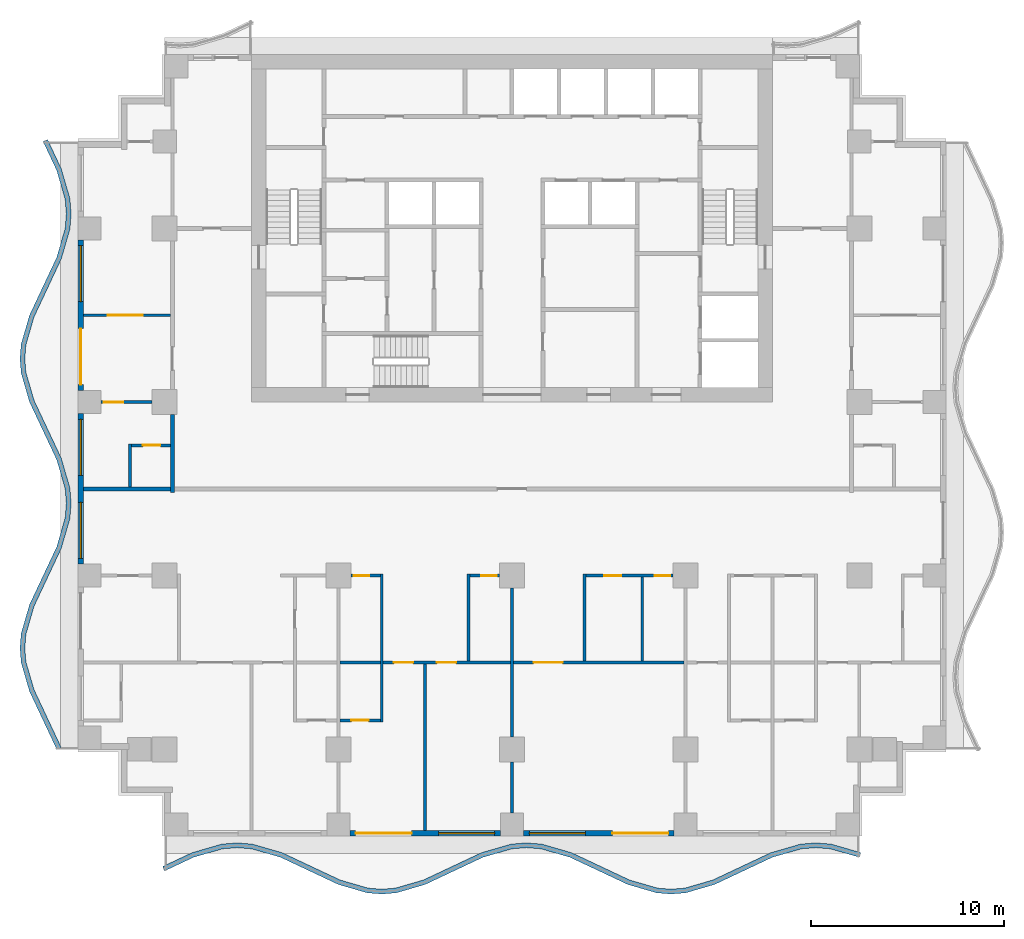
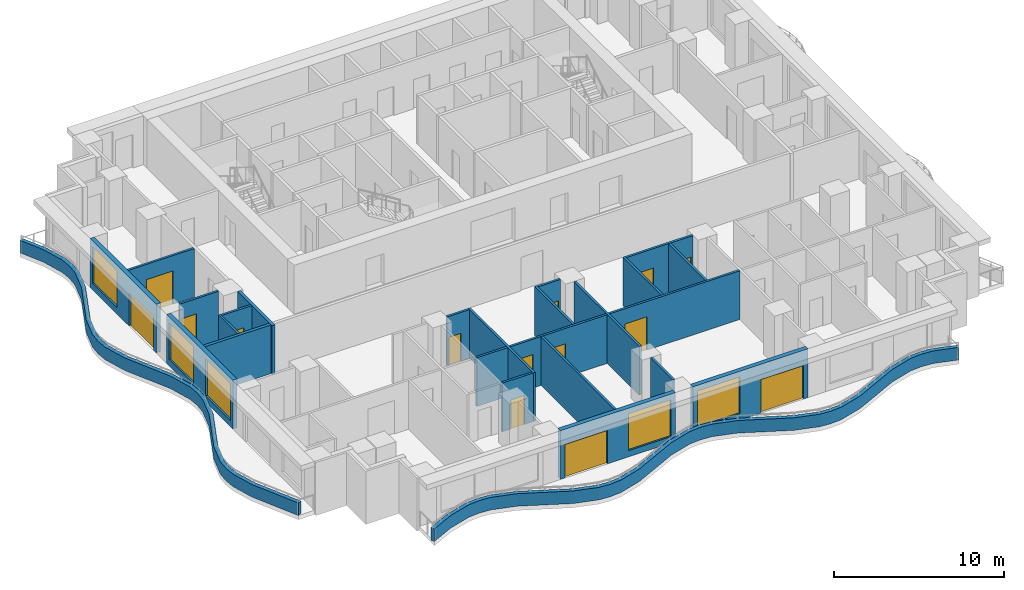
# One storey, part 2 of 10: 26 walls, 14 doors, 5 windows, 19 openings.
"""IFC4 building model written with IfcOpenShell, lengths in metres."""

import ifcopenshell
import ifcopenshell.guid

model = None  # the IFC model being written
_history = None  # IfcOwnerHistory: only IFC2X3 demands one
_inside = {}  # id of a spatial element -> (the spatial element, [elements in it])
_under = {}  # id of a project, library or spatial element -> (it, [spatial elements below it])
_declared = {}  # id of a project -> (the project, [libraries it declares])
_typed = {}  # id of a type object -> (the type object, [elements of that type])
_made_of = {}  # id of a material, layer set ... -> (it, [elements and type objects made of it])


def new_model(schema):
    """Start an empty IFC model of exactly this schema.

    Asked for "IFC4X3", IfcOpenShell would pick the latest addendum, in which some entities
    have other attributes; the version numbers below select the first issue.
    IFC2X3 requires an IfcOwnerHistory on every rooted entity: one is made here for all.
    """
    global model, _history
    if schema == "IFC4X3":
        model = ifcopenshell.file(schema_version=(4, 3, 0, 0))
    else:
        model = ifcopenshell.file(schema=schema)
    _inside.clear()
    _under.clear()
    _declared.clear()
    _typed.clear()
    _made_of.clear()
    _history = None
    if model.schema == "IFC2X3":
        org = make("IfcOrganization", Name="unknown")
        user = make(
            "IfcPersonAndOrganization",
            ThePerson=make("IfcPerson", FamilyName="unknown"),
            TheOrganization=org,
        )
        app = make(
            "IfcApplication",
            ApplicationDeveloper=org,
            Version="unknown",
            ApplicationFullName="unknown",
            ApplicationIdentifier="unknown",
        )
        _history = make(
            "IfcOwnerHistory",
            OwningUser=user,
            OwningApplication=app,
            ChangeAction="ADDED",
            CreationDate=0,
        )
    return model


def make(cls, **values):
    """One entity of the class cls with the attributes given. An attribute that is None is left unset."""
    return model.create_entity(
        cls, **{name: value for name, value in values.items() if value is not None}
    )


def rooted(cls, **values):
    """An entity with a GlobalId (a new one), such as an element, a storey or a relation."""
    return make(cls, GlobalId=ifcopenshell.guid.new(), OwnerHistory=_history, **values)


def si_unit(unit_type, name, prefix=None):
    """IfcSIUnit, for example si_unit("LENGTHUNIT", "METRE", prefix="MILLI")."""
    return make("IfcSIUnit", UnitType=unit_type, Prefix=prefix, Name=name)


def assignment(units):
    """IfcUnitAssignment: the units of a project."""
    return None if units is None else make("IfcUnitAssignment", Units=units)


def point(xyz):
    """IfcCartesianPoint."""
    return None if xyz is None else make("IfcCartesianPoint", Coordinates=xyz)


def direction(xyz):
    """IfcDirection."""
    return None if xyz is None else make("IfcDirection", DirectionRatios=xyz)


def frame(location, z_axis=None, x_axis=None):
    """IfcAxis2Placement3D, a coordinate frame: its origin and axes. An axis left out is left unset."""
    return make(
        "IfcAxis2Placement3D",
        Location=point(location),
        Axis=direction(z_axis),
        RefDirection=direction(x_axis),
    )


def frame_2d(location, x_axis=None):
    """IfcAxis2Placement2D, a coordinate frame in the plane: its origin and x axis."""
    return make(
        "IfcAxis2Placement2D", Location=point(location), RefDirection=direction(x_axis)
    )


def origin():
    """The frame at (0, 0, 0) with its axes left unset."""
    return frame((0.0, 0.0, 0.0))


def place(relative_to, where):
    """IfcLocalPlacement: puts the frame where relative to a parent placement (None: the world)."""
    return make(
        "IfcLocalPlacement", PlacementRelTo=relative_to, RelativePlacement=where
    )


def context(
    kind, dimensions, precision=None, world=None, true_north=None, identifier=None
):
    """IfcGeometricRepresentationContext, for example the 3D "Model" context."""
    return make(
        "IfcGeometricRepresentationContext",
        ContextIdentifier=identifier,
        ContextType=kind,
        CoordinateSpaceDimension=dimensions,
        Precision=precision,
        WorldCoordinateSystem=world,
        TrueNorth=true_north,
    )


def subcontext(parent, identifier, kind, view, scale=None):
    """IfcGeometricRepresentationSubContext, for example "Body" below "Model"."""
    return make(
        "IfcGeometricRepresentationSubContext",
        ContextIdentifier=identifier,
        ContextType=kind,
        ParentContext=parent,
        TargetScale=scale,
        TargetView=view,
    )


def project(units=None, contexts=None):
    """IfcProject with its units and contexts."""
    return rooted(
        "IfcProject",
        Name="project",
        RepresentationContexts=contexts,
        UnitsInContext=assignment(units),
    )


def spatial(cls, under=None, at=None, **own):
    """A site, building, storey or space (cls), placed at a placement, below another one or the project."""
    s = rooted(cls, ObjectPlacement=at, **own)
    if under is not None:
        _under.setdefault(under.id(), (under, []))[1].append(s)
    return s


def polyline(points):
    """IfcPolyline through the points."""
    return make("IfcPolyline", Points=[point(p) for p in points])


def profile(cls, at=None, kind="AREA", **sizes):
    """A parametric profile (cls). Its sizes go by their IFC names, for example OverallWidth=200.0."""
    return make(cls, ProfileType=kind, Position=at, **sizes)


def rectangle(**sizes):
    """IfcRectangleProfileDef."""
    return profile("IfcRectangleProfileDef", **sizes)


def outline(outer, holes=None, kind="AREA"):
    """IfcArbitraryClosedProfileDef: a profile drawn as a closed curve; with holes, ...WithVoids."""
    if holes is None:
        return make("IfcArbitraryClosedProfileDef", ProfileType=kind, OuterCurve=outer)
    return make(
        "IfcArbitraryProfileDefWithVoids",
        ProfileType=kind,
        OuterCurve=outer,
        InnerCurves=holes,
    )


def extrude(swept, where, along, depth):
    """IfcExtrudedAreaSolid: the profile swept, set in the frame where, extruded along a direction by depth."""
    return make(
        "IfcExtrudedAreaSolid",
        SweptArea=swept,
        Position=where,
        ExtrudedDirection=direction(along),
        Depth=depth,
    )


def shape(context_of_items, identifier, shape_type, items):
    """IfcShapeRepresentation: the items that make up one representation, for example the "Body"."""
    return make(
        "IfcShapeRepresentation",
        ContextOfItems=context_of_items,
        RepresentationIdentifier=identifier,
        RepresentationType=shape_type,
        Items=items,
    )


def material(Name=None, Category=None):
    """IfcMaterial."""
    return make("IfcMaterial", Name=Name, Category=Category)


def layer(
    of_material, thickness, ventilated=None, Name=None, Category=None, Priority=None
):
    """IfcMaterialLayer: one layer of a wall or slab, of a material (None: an air gap)."""
    return make(
        "IfcMaterialLayer",
        Material=of_material,
        LayerThickness=thickness,
        IsVentilated=ventilated,
        Name=Name,
        Category=Category,
        Priority=Priority,
    )


def layer_set(layers, Name=None):
    """IfcMaterialLayerSet."""
    return make("IfcMaterialLayerSet", MaterialLayers=layers, LayerSetName=Name)


def made_of(thing, what):
    """Note that an element or type object is made of a material, layer set ...; save() writes the relation."""
    if what is not None:
        _made_of.setdefault(what.id(), (what, []))[1].append(thing)
    return thing


def type_object(cls, material=None, **own):
    """A type object (cls), such as IfcWallType, which elements share."""
    return made_of(rooted(cls, **own), material)


def element(
    cls,
    number,
    at=None,
    inside=None,
    cuts=None,
    type_object=None,
    material=None,
    context=None,
    identifier="Body",
    shape_type=None,
    held_by="IfcProductDefinitionShape",
    body=None,
    shapes=None,
    **own,
):
    """One element of the class cls, such as IfcWall. Its Tag is "e" and its number.

    at: its placement. inside: the storey or other place that contains it. cuts: it is an
    opening in that element (IfcRelVoidsElement). A single representation is given by context,
    identifier, shape_type and body (its items); several are given by shapes. held_by: the class
    of the entity that holds the representations. save() writes the other relations.
    """
    e = rooted(cls, Tag="e%d" % number, ObjectPlacement=at, **own)
    if body is not None:
        shapes = [shape(context, identifier, shape_type, body)]
    if shapes is not None:
        e.Representation = make(held_by, Representations=shapes)
    if inside is not None:
        _inside.setdefault(inside.id(), (inside, []))[1].append(e)
    if cuts is not None:
        rooted(
            "IfcRelVoidsElement", RelatingBuildingElement=cuts, RelatedOpeningElement=e
        )
    if type_object is not None:
        _typed.setdefault(type_object.id(), (type_object, []))[1].append(e)
    return made_of(e, material)


def fill(opening, filler):
    """IfcRelFillsElement: the door or window that sits in an opening."""
    return rooted(
        "IfcRelFillsElement",
        RelatingOpeningElement=opening,
        RelatedBuildingElement=filler,
    )


def aggregate(whole, parts):
    """IfcRelAggregates: a whole, such as a stair, and the parts it consists of."""
    return rooted("IfcRelAggregates", RelatingObject=whole, RelatedObjects=parts)


def save(model, path):
    """Write the relations noted so far, then the file.

    IfcRelAggregates (storeys below a building ...), IfcRelContainedInSpatialStructure (elements
    in a storey), IfcRelDefinesByType, IfcRelAssociatesMaterial and IfcRelDeclares: one each for
    every whole, place, type object, material and project.
    """
    for whole, parts in _under.values():
        aggregate(whole, parts)
    for where, things in _inside.values():
        rooted(
            "IfcRelContainedInSpatialStructure",
            RelatedElements=things,
            RelatingStructure=where,
        )
    for kind, things in _typed.values():
        rooted("IfcRelDefinesByType", RelatedObjects=things, RelatingType=kind)
    for what, things in _made_of.values():
        rooted("IfcRelAssociatesMaterial", RelatedObjects=things, RelatingMaterial=what)
    for by, libraries in _declared.values():
        rooted("IfcRelDeclares", RelatingContext=by, RelatedDefinitions=libraries)
    model.write(path)


model = new_model("IFC4")

# Units and contexts
model_context = context("Model", 3, precision=1e-05, world=origin(), true_north=direction((0.0, 1.0)))
body_context = subcontext(model_context, "Body", "Model", "MODEL_VIEW")
ifc_project = project(units=[si_unit("LENGTHUNIT", "METRE"), si_unit("AREAUNIT", "SQUARE_METRE"), si_unit("VOLUMEUNIT", "CUBIC_METRE"), si_unit("PLANEANGLEUNIT", "RADIAN"), si_unit("MASSUNIT", "GRAM", prefix="KILO")], contexts=[model_context])

# Site, building, storey
site_placement = place(None, origin())
site = spatial("IfcSite", under=ifc_project, at=site_placement, CompositionType="ELEMENT")
building_placement = place(site_placement, origin())
building = spatial("IfcBuilding", under=site, at=building_placement, Name="Orbiselva Terraces", CompositionType="ELEMENT")
storey_placement = place(building_placement, frame((0.0, 0.0, 128.8)))
storey = spatial("IfcBuildingStorey", under=building, at=storey_placement, Name="L32", CompositionType="ELEMENT", Elevation=128.8)

# Walls
ifc_material_1 = material(Name="Concrete C40/50", Category="concrete")
ifc_layer_1 = layer(ifc_material_1, 0.25)
ifc_layer_set_1 = layer_set([ifc_layer_1], Name="Concrete C40/50")
wall_type_1 = type_object("IfcWallType", Name="ENV-PLANTER-250x900", PredefinedType="USERDEFINED", material=ifc_layer_set_1)
wall_1_placement = place(storey_placement, origin())
element("IfcWall", 1, at=wall_1_placement, inside=storey, type_object=wall_type_1, Name="Balcony planter L32 S", ObjectType="PLANTER", PredefinedType="USERDEFINED", context=body_context, shape_type="SweptSolid", body=[
    extrude(outline(polyline([(-18.0, -19.8), (-16.5, -19.094658), (-15.0, -18.658732), (-14.25, -18.6), (-13.5, -18.658732), (-12.0, -19.094658), (-10.5, -19.8), (-9.0, -20.505342), (-7.5, -20.941268), (-6.75, -21.0), (-6.0, -20.941268), (-4.5, -20.505342), (-3.0, -19.8), (-1.5, -19.094658), (0.0, -18.658732), (0.75, -18.6), (1.5, -18.658732), (3.0, -19.094658), (4.5, -19.8), (6.0, -20.505342), (7.5, -20.941268), (8.25, -21.0), (9.0, -20.941268), (10.5, -20.505342), (12.0, -19.8), (13.5, -19.094658), (15.0, -18.658732), (15.75, -18.6), (16.5, -18.658732), (18.0, -19.094658), (18.069768, -18.85459), (16.545114, -18.411499), (15.75, -18.349235), (14.954886, -18.411499), (13.411382, -18.860069), (11.893617, -19.573764), (10.411382, -20.270753), (8.954886, -20.694035), (8.25, -20.749235), (7.545114, -20.694035), (6.088618, -20.270753), (4.606383, -19.573764), (3.088618, -18.860069), (1.545114, -18.411499), (0.75, -18.349235), (-0.045114, -18.411499), (-1.588618, -18.860069), (-3.106383, -19.573764), (-4.588618, -20.270753), (-6.045114, -20.694035), (-6.75, -20.749235), (-7.454886, -20.694035), (-8.911382, -20.270753), (-10.393617, -19.573764), (-11.911382, -18.860069), (-13.454886, -18.411499), (-14.25, -18.349235), (-15.045114, -18.411499), (-16.588618, -18.860069), (-18.106383, -19.573764), (-18.0, -19.8)])), origin(), (0.0, 0.0, 1.0), 0.9),
])
wall_2_placement = place(storey_placement, origin())
element("IfcWall", 2, at=wall_2_placement, inside=storey, type_object=wall_type_1, Name="Balcony planter L32 W", ObjectType="PLANTER", PredefinedType="USERDEFINED", context=body_context, shape_type="SweptSolid", body=[
    extrude(outline(polyline([(-24.3, 18.0), (-23.594658, 16.5), (-23.158732, 15.0), (-23.1, 14.25), (-23.158732, 13.5), (-23.594658, 12.0), (-24.3, 10.5), (-25.005342, 9.0), (-25.441268, 7.5), (-25.5, 6.75), (-25.441268, 6.0), (-25.005342, 4.5), (-24.3, 3.0), (-23.594658, 1.5), (-23.158732, 0.0), (-23.1, -0.75), (-23.158732, -1.5), (-23.594658, -3.0), (-24.3, -4.5), (-25.005342, -6.0), (-25.441268, -7.5), (-25.5, -8.25), (-25.441268, -9.0), (-25.005342, -10.5), (-24.3, -12.0), (-23.594658, -13.5), (-23.368422, -13.393617), (-24.073764, -11.893617), (-24.770753, -10.411382), (-25.194035, -8.954886), (-25.249235, -8.25), (-25.194035, -7.545114), (-24.770753, -6.088618), (-24.073764, -4.606383), (-23.360069, -3.088618), (-22.911499, -1.545114), (-22.849235, -0.75), (-22.911499, 0.045114), (-23.360069, 1.588618), (-24.073764, 3.106383), (-24.770753, 4.588618), (-25.194035, 6.045114), (-25.249235, 6.75), (-25.194035, 7.454886), (-24.770753, 8.911382), (-24.073764, 10.393617), (-23.360069, 11.911382), (-22.911499, 13.454886), (-22.849235, 14.25), (-22.911499, 15.045114), (-23.360069, 16.588618), (-24.073764, 18.106383), (-24.3, 18.0)])), origin(), (0.0, 0.0, 1.0), 0.9),
])

# Wall, openings, door, window
ifc_material_2 = material(Name="Terracotta cladding on masonry backing", Category="masonry")
ifc_layer_2 = layer(ifc_material_2, 0.3)
ifc_layer_set_2 = layer_set([ifc_layer_2], Name="Terracotta cladding on masonry backing")
wall_type_2 = type_object("IfcWallType", Name="ENV-WALL-TERRACOTTA-300", PredefinedType="SOLIDWALL", material=ifc_layer_set_2)
wall_3_placement = place(storey_placement, frame((-0.6, -17.85, 0.0), z_axis=(0.0, 0.0, 1.0), x_axis=(-1.0, 0.0, 0.0)))
wall_3 = element("IfcWall", 3, at=wall_3_placement, inside=storey, type_object=wall_type_2, Name="Facade wall L32 S", PredefinedType="SOLIDWALL", context=body_context, shape_type="SweptSolid", body=[
    extrude(rectangle(XDim=7.8, YDim=0.3, at=frame_2d((3.9, 0.0))), origin(), (0.0, 0.0, 1.0), 3.5),
])
opening_1_placement = place(wall_3_placement, frame((4.6, 0.0, 0.0)))
opening_1 = element("IfcOpeningElement", 4, at=opening_1_placement, cuts=wall_3, Name="Opening Z3-A-E01", PredefinedType="OPENING", context=body_context, shape_type="SweptSolid", body=[
    extrude(rectangle(XDim=2.9, YDim=2.4, at=frame_2d((1.45, 1.2))), frame((0.0, 0.16, 0.0), z_axis=(0.0, -1.0, 0.0), x_axis=(1.0, 0.0, 0.0)), (0.0, 0.0, 1.0), 0.32),
])
opening_2_placement = place(wall_3_placement, frame((0.3, 0.0, 0.45)))
opening_2 = element("IfcOpeningElement", 5, at=opening_2_placement, cuts=wall_3, Name="Opening WN8", PredefinedType="OPENING", context=body_context, shape_type="SweptSolid", body=[
    extrude(rectangle(XDim=2.9, YDim=2.65, at=frame_2d((1.45, 1.325))), frame((0.0, 0.16, 0.0), z_axis=(0.0, -1.0, 0.0), x_axis=(1.0, 0.0, 0.0)), (0.0, 0.0, 1.0), 0.32),
])
ifc_material_3 = material(Name="Clear low-e glazing in aluminium frame", Category="aluminium")
door_type_1 = type_object("IfcDoorType", Name="BALCONY DOOR 2900 X 2400", OperationType="DOUBLE_DOOR_SLIDING", PredefinedType="DOOR", material=ifc_material_3)
door_1_placement = place(opening_1_placement, origin())
door_1 = element("IfcDoor", 6, at=door_1_placement, inside=storey, type_object=door_type_1, Name="Z3-A-E01", OperationType="SINGLE_SWING_LEFT", OverallHeight=2.4, OverallWidth=2.9, PredefinedType="DOOR", context=body_context, shape_type="SweptSolid", body=[
    extrude(rectangle(XDim=2.9, YDim=2.4, at=frame_2d((1.45, 1.2))), frame((0.0, 0.025, 0.0), z_axis=(0.0, -1.0, 0.0), x_axis=(1.0, 0.0, 0.0)), (0.0, 0.0, 1.0), 0.05),
])
fill(opening_1, door_1)
window_type = type_object("IfcWindowType", Name="WINDOW 2900 X 2650 S450", PartitioningType="TRIPLE_PANEL_VERTICAL", PredefinedType="WINDOW", material=ifc_material_3)
window_1_placement = place(opening_2_placement, origin())
window_1 = element("IfcWindow", 7, at=window_1_placement, inside=storey, type_object=window_type, Name="Window L32 S", OverallHeight=2.65, OverallWidth=2.9, PartitioningType="SINGLE_PANEL", PredefinedType="WINDOW", context=body_context, shape_type="SweptSolid", body=[
    extrude(rectangle(XDim=2.9, YDim=2.65, at=frame_2d((1.45, 1.325))), frame((0.0, 0.03, 0.0), z_axis=(0.0, -1.0, 0.0), x_axis=(1.0, 0.0, 0.0)), (0.0, 0.0, 1.0), 0.06),
])
fill(opening_2, window_1)

wall_4_placement = place(storey_placement, frame((8.4, -17.85, 0.0), z_axis=(0.0, 0.0, 1.0), x_axis=(-1.0, 0.0, 0.0)))
wall_4 = element("IfcWall", 8, at=wall_4_placement, inside=storey, type_object=wall_type_2, Name="Facade wall L32 S", PredefinedType="SOLIDWALL", context=body_context, shape_type="SweptSolid", body=[
    extrude(rectangle(XDim=7.8, YDim=0.3, at=frame_2d((3.9, 0.0))), origin(), (0.0, 0.0, 1.0), 3.5),
])
opening_3_placement = place(wall_4_placement, frame((4.6, 0.0, 0.45)))
opening_3 = element("IfcOpeningElement", 9, at=opening_3_placement, cuts=wall_4, Name="Opening WN8", PredefinedType="OPENING", context=body_context, shape_type="SweptSolid", body=[
    extrude(rectangle(XDim=2.9, YDim=2.65, at=frame_2d((1.45, 1.325))), frame((0.0, 0.16, 0.0), z_axis=(0.0, -1.0, 0.0), x_axis=(1.0, 0.0, 0.0)), (0.0, 0.0, 1.0), 0.32),
])
opening_4_placement = place(wall_4_placement, frame((0.3, 0.0, 0.0)))
opening_4 = element("IfcOpeningElement", 10, at=opening_4_placement, cuts=wall_4, Name="Opening Z3-A-E12", PredefinedType="OPENING", context=body_context, shape_type="SweptSolid", body=[
    extrude(rectangle(XDim=2.9, YDim=2.4, at=frame_2d((1.45, 1.2))), frame((0.0, 0.16, 0.0), z_axis=(0.0, -1.0, 0.0), x_axis=(1.0, 0.0, 0.0)), (0.0, 0.0, 1.0), 0.32),
])
door_2_placement = place(opening_4_placement, origin())
door_2 = element("IfcDoor", 11, at=door_2_placement, inside=storey, type_object=door_type_1, Name="Z3-A-E12", OperationType="SINGLE_SWING_LEFT", OverallHeight=2.4, OverallWidth=2.9, PredefinedType="DOOR", context=body_context, shape_type="SweptSolid", body=[
    extrude(rectangle(XDim=2.9, YDim=2.4, at=frame_2d((1.45, 1.2))), frame((0.0, 0.025, 0.0), z_axis=(0.0, -1.0, 0.0), x_axis=(1.0, 0.0, 0.0)), (0.0, 0.0, 1.0), 0.05),
])
fill(opening_4, door_2)
window_2_placement = place(opening_3_placement, origin())
window_2 = element("IfcWindow", 12, at=window_2_placement, inside=storey, type_object=window_type, Name="Window L32 S", OverallHeight=2.65, OverallWidth=2.9, PartitioningType="SINGLE_PANEL", PredefinedType="WINDOW", context=body_context, shape_type="SweptSolid", body=[
    extrude(rectangle(XDim=2.9, YDim=2.65, at=frame_2d((1.45, 1.325))), frame((0.0, 0.03, 0.0), z_axis=(0.0, -1.0, 0.0), x_axis=(1.0, 0.0, 0.0)), (0.0, 0.0, 1.0), 0.06),
])
fill(opening_3, window_2)

wall_5_placement = place(storey_placement, frame((-22.35, 5.1, 0.0), z_axis=(0.0, 0.0, 1.0), x_axis=(0.0, 1.0, 0.0)))
wall_5 = element("IfcWall", 13, at=wall_5_placement, inside=storey, type_object=wall_type_2, Name="Facade wall L32 W", PredefinedType="SOLIDWALL", context=body_context, shape_type="SweptSolid", body=[
    extrude(rectangle(XDim=7.8, YDim=0.3, at=frame_2d((3.9, 0.0))), origin(), (0.0, 0.0, 1.0), 3.5),
])
opening_5_placement = place(wall_5_placement, frame((4.6, 0.0, 0.45)))
opening_5 = element("IfcOpeningElement", 14, at=opening_5_placement, cuts=wall_5, Name="Opening WN8", PredefinedType="OPENING", context=body_context, shape_type="SweptSolid", body=[
    extrude(rectangle(XDim=2.9, YDim=2.65, at=frame_2d((1.45, 1.325))), frame((0.0, 0.16, 0.0), z_axis=(0.0, -1.0, 0.0), x_axis=(1.0, 0.0, 0.0)), (0.0, 0.0, 1.0), 0.32),
])
opening_6_placement = place(wall_5_placement, frame((0.3, 0.0, 0.0)))
opening_6 = element("IfcOpeningElement", 15, at=opening_6_placement, cuts=wall_5, Name="Opening Z3-A-E09", PredefinedType="OPENING", context=body_context, shape_type="SweptSolid", body=[
    extrude(rectangle(XDim=2.9, YDim=2.4, at=frame_2d((1.45, 1.2))), frame((0.0, 0.16, 0.0), z_axis=(0.0, -1.0, 0.0), x_axis=(1.0, 0.0, 0.0)), (0.0, 0.0, 1.0), 0.32),
])
door_3_placement = place(opening_6_placement, origin())
door_3 = element("IfcDoor", 16, at=door_3_placement, inside=storey, type_object=door_type_1, Name="Z3-A-E09", OperationType="SINGLE_SWING_LEFT", OverallHeight=2.4, OverallWidth=2.9, PredefinedType="DOOR", context=body_context, shape_type="SweptSolid", body=[
    extrude(rectangle(XDim=2.9, YDim=2.4, at=frame_2d((1.45, 1.2))), frame((0.0, 0.025, 0.0), z_axis=(0.0, -1.0, 0.0), x_axis=(1.0, 0.0, 0.0)), (0.0, 0.0, 1.0), 0.05),
])
fill(opening_6, door_3)
window_3_placement = place(opening_5_placement, origin())
window_3 = element("IfcWindow", 17, at=window_3_placement, inside=storey, type_object=window_type, Name="Window L32 W", OverallHeight=2.65, OverallWidth=2.9, PartitioningType="SINGLE_PANEL", PredefinedType="WINDOW", context=body_context, shape_type="SweptSolid", body=[
    extrude(rectangle(XDim=2.9, YDim=2.65, at=frame_2d((1.45, 1.325))), frame((0.0, 0.03, 0.0), z_axis=(0.0, -1.0, 0.0), x_axis=(1.0, 0.0, 0.0)), (0.0, 0.0, 1.0), 0.06),
])
fill(opening_5, window_3)

# Wall, openings, windows
wall_6_placement = place(storey_placement, frame((-22.35, -3.9, 0.0), z_axis=(0.0, 0.0, 1.0), x_axis=(0.0, 1.0, 0.0)))
wall_6 = element("IfcWall", 18, at=wall_6_placement, inside=storey, type_object=wall_type_2, Name="Facade wall L32 W", PredefinedType="SOLIDWALL", context=body_context, shape_type="SweptSolid", body=[
    extrude(rectangle(XDim=7.8, YDim=0.3, at=frame_2d((3.9, 0.0))), origin(), (0.0, 0.0, 1.0), 3.5),
])
opening_7_placement = place(wall_6_placement, frame((4.6, 0.0, 0.45)))
opening_7 = element("IfcOpeningElement", 19, at=opening_7_placement, cuts=wall_6, Name="Opening WN8", PredefinedType="OPENING", context=body_context, shape_type="SweptSolid", body=[
    extrude(rectangle(XDim=2.9, YDim=2.65, at=frame_2d((1.45, 1.325))), frame((0.0, 0.16, 0.0), z_axis=(0.0, -1.0, 0.0), x_axis=(1.0, 0.0, 0.0)), (0.0, 0.0, 1.0), 0.32),
])
opening_8_placement = place(wall_6_placement, frame((0.3, 0.0, 0.45)))
opening_8 = element("IfcOpeningElement", 20, at=opening_8_placement, cuts=wall_6, Name="Opening WN8", PredefinedType="OPENING", context=body_context, shape_type="SweptSolid", body=[
    extrude(rectangle(XDim=2.9, YDim=2.65, at=frame_2d((1.45, 1.325))), frame((0.0, 0.16, 0.0), z_axis=(0.0, -1.0, 0.0), x_axis=(1.0, 0.0, 0.0)), (0.0, 0.0, 1.0), 0.32),
])
window_4_placement = place(opening_7_placement, origin())
window_4 = element("IfcWindow", 21, at=window_4_placement, inside=storey, type_object=window_type, Name="Window L32 W", OverallHeight=2.65, OverallWidth=2.9, PartitioningType="SINGLE_PANEL", PredefinedType="WINDOW", context=body_context, shape_type="SweptSolid", body=[
    extrude(rectangle(XDim=2.9, YDim=2.65, at=frame_2d((1.45, 1.325))), frame((0.0, 0.03, 0.0), z_axis=(0.0, -1.0, 0.0), x_axis=(1.0, 0.0, 0.0)), (0.0, 0.0, 1.0), 0.06),
])
fill(opening_7, window_4)
window_5_placement = place(opening_8_placement, origin())
window_5 = element("IfcWindow", 22, at=window_5_placement, inside=storey, type_object=window_type, Name="Window L32 W", OverallHeight=2.65, OverallWidth=2.9, PartitioningType="SINGLE_PANEL", PredefinedType="WINDOW", context=body_context, shape_type="SweptSolid", body=[
    extrude(rectangle(XDim=2.9, YDim=2.65, at=frame_2d((1.45, 1.325))), frame((0.0, 0.03, 0.0), z_axis=(0.0, -1.0, 0.0), x_axis=(1.0, 0.0, 0.0)), (0.0, 0.0, 1.0), 0.06),
])
fill(opening_8, window_5)

# Wall
ifc_material_4 = material(Name="Plasterboard on steel stud partition", Category="steel")
ifc_layer_3 = layer(ifc_material_4, 0.2)
ifc_layer_set_3 = layer_set([ifc_layer_3], Name="Plasterboard on steel stud partition")
wall_type_3 = type_object("IfcWallType", Name="UNIT-ENTRANCE-WALL-200", PredefinedType="PARTITIONING", material=ifc_layer_set_3)
wall_7_placement = place(storey_placement, frame((-17.6, -0.2, 0.0), z_axis=(0.0, 0.0, 1.0), x_axis=(0.0, 1.0, 0.0)))
element("IfcWall", 23, at=wall_7_placement, inside=storey, type_object=wall_type_3, Name="PARTITION L32-037", PredefinedType="PARTITIONING", context=body_context, shape_type="SweptSolid", body=[
    extrude(rectangle(XDim=4.05, YDim=0.2, at=frame_2d((2.025, 0.0))), origin(), (0.0, 0.0, 1.0), 3.5),
])

# Wall, opening, door
ifc_layer_4 = layer(ifc_material_4, 0.15)
ifc_layer_set_4 = layer_set([ifc_layer_4], Name="Plasterboard on steel stud partition")
wall_type_4 = type_object("IfcWallType", Name="UNIT-PARTITION-150", PredefinedType="PARTITIONING", material=ifc_layer_set_4)
wall_8_placement = place(storey_placement, frame((-8.925, -12.0, 0.0), z_axis=(0.0, 0.0, 1.0), x_axis=(1.0, 0.0, 0.0)))
wall_8 = element("IfcWall", 24, at=wall_8_placement, inside=storey, type_object=wall_type_4, Name="PARTITION L32-003", PredefinedType="PARTITIONING", context=body_context, shape_type="SweptSolid", body=[
    extrude(rectangle(XDim=2.1, YDim=0.15, at=frame_2d((1.05, 0.0))), origin(), (0.0, 0.0, 1.0), 3.5),
])
opening_9_placement = place(wall_8_placement, frame((0.6, 0.0, 0.0)))
opening_9 = element("IfcOpeningElement", 25, at=opening_9_placement, cuts=wall_8, Name="Opening Z3-A-28", PredefinedType="OPENING", context=body_context, shape_type="SweptSolid", body=[
    extrude(rectangle(XDim=0.9, YDim=2.1, at=frame_2d((0.45, 1.05))), frame((0.0, 0.085, 0.0), z_axis=(0.0, -1.0, 0.0), x_axis=(1.0, 0.0, 0.0)), (0.0, 0.0, 1.0), 0.17),
])
ifc_material_5 = material(Name="Painted timber door leaf", Category="wood")
door_type_2 = type_object("IfcDoorType", Name="BATH DOOR 900", OperationType="NOTDEFINED", PredefinedType="DOOR", material=ifc_material_5)
door_4_placement = place(opening_9_placement, origin())
door_4 = element("IfcDoor", 26, at=door_4_placement, inside=storey, type_object=door_type_2, Name="Z3-A-28", OperationType="SINGLE_SWING_LEFT", OverallHeight=2.1, OverallWidth=0.9, PredefinedType="DOOR", context=body_context, shape_type="SweptSolid", body=[
    extrude(rectangle(XDim=0.9, YDim=2.1, at=frame_2d((0.45, 1.05))), frame((0.0, 0.025, 0.0), z_axis=(0.0, -1.0, 0.0), x_axis=(1.0, 0.0, 0.0)), (0.0, 0.0, 1.0), 0.05),
])
fill(opening_9, door_4)

# Wall
wall_9_placement = place(storey_placement, frame((-8.925, -9.0, 0.0), z_axis=(0.0, 0.0, 1.0), x_axis=(1.0, 0.0, 0.0)))
element("IfcWall", 27, at=wall_9_placement, inside=storey, type_object=wall_type_4, Name="PARTITION L32-008", PredefinedType="PARTITIONING", context=body_context, shape_type="SweptSolid", body=[
    extrude(rectangle(XDim=2.1, YDim=0.15, at=frame_2d((1.05, 0.0))), origin(), (0.0, 0.0, 1.0), 3.5),
])

# Wall, openings, doors
wall_10_placement = place(storey_placement, frame((-0.075, -9.0, 0.0), z_axis=(0.0, 0.0, 1.0), x_axis=(-1.0, 0.0, 0.0)))
wall_10 = element("IfcWall", 28, at=wall_10_placement, inside=storey, type_object=wall_type_4, Name="PARTITION L32-009", PredefinedType="PARTITIONING", context=body_context, shape_type="SweptSolid", body=[
    extrude(rectangle(XDim=6.6, YDim=0.15, at=frame_2d((3.3, 0.0))), origin(), (0.0, 0.0, 1.0), 3.5),
])
opening_10_placement = place(wall_10_placement, frame((5.05, 0.0, 0.0)))
opening_10 = element("IfcOpeningElement", 29, at=opening_10_placement, cuts=wall_10, Name="Opening Z3-A-27", PredefinedType="OPENING", context=body_context, shape_type="SweptSolid", body=[
    extrude(rectangle(XDim=1.0, YDim=2.4, at=frame_2d((0.5, 1.2))), frame((0.0, 0.085, 0.0), z_axis=(0.0, -1.0, 0.0), x_axis=(1.0, 0.0, 0.0)), (0.0, 0.0, 1.0), 0.17),
])
opening_11_placement = place(wall_10_placement, frame((2.825, 0.0, 0.0)))
opening_11 = element("IfcOpeningElement", 30, at=opening_11_placement, cuts=wall_10, Name="Opening Z3-A-29", PredefinedType="OPENING", context=body_context, shape_type="SweptSolid", body=[
    extrude(rectangle(XDim=1.0, YDim=2.4, at=frame_2d((0.5, 1.2))), frame((0.0, 0.085, 0.0), z_axis=(0.0, -1.0, 0.0), x_axis=(1.0, 0.0, 0.0)), (0.0, 0.0, 1.0), 0.17),
])
door_type_3 = type_object("IfcDoorType", Name="ROOM DOOR 1000", OperationType="NOTDEFINED", PredefinedType="DOOR", material=ifc_material_5)
door_5_placement = place(opening_10_placement, origin())
door_5 = element("IfcDoor", 31, at=door_5_placement, inside=storey, type_object=door_type_3, Name="Z3-A-27", OperationType="SINGLE_SWING_RIGHT", OverallHeight=2.4, OverallWidth=1.0, PredefinedType="DOOR", context=body_context, shape_type="SweptSolid", body=[
    extrude(rectangle(XDim=1.0, YDim=2.4, at=frame_2d((0.5, 1.2))), frame((0.0, 0.025, 0.0), z_axis=(0.0, -1.0, 0.0), x_axis=(1.0, 0.0, 0.0)), (0.0, 0.0, 1.0), 0.05),
])
fill(opening_10, door_5)
door_6_placement = place(opening_11_placement, origin())
door_6 = element("IfcDoor", 32, at=door_6_placement, inside=storey, type_object=door_type_3, Name="Z3-A-29", OperationType="SINGLE_SWING_RIGHT", OverallHeight=2.4, OverallWidth=1.0, PredefinedType="DOOR", context=body_context, shape_type="SweptSolid", body=[
    extrude(rectangle(XDim=1.0, YDim=2.4, at=frame_2d((0.5, 1.2))), frame((0.0, 0.025, 0.0), z_axis=(0.0, -1.0, 0.0), x_axis=(1.0, 0.0, 0.0)), (0.0, 0.0, 1.0), 0.05),
])
fill(opening_11, door_6)

# Wall, opening, door
wall_11_placement = place(storey_placement, frame((8.925, -9.0, 0.0), z_axis=(0.0, 0.0, 1.0), x_axis=(-1.0, 0.0, 0.0)))
wall_11 = element("IfcWall", 33, at=wall_11_placement, inside=storey, type_object=wall_type_4, Name="PARTITION L32-010", PredefinedType="PARTITIONING", context=body_context, shape_type="SweptSolid", body=[
    extrude(rectangle(XDim=8.85, YDim=0.15, at=frame_2d((4.425, 0.0))), origin(), (0.0, 0.0, 1.0), 3.5),
])
opening_12_placement = place(wall_11_placement, frame((6.3, 0.0, 0.0)))
opening_12 = element("IfcOpeningElement", 34, at=opening_12_placement, cuts=wall_11, Name="Opening Z3-A-30", PredefinedType="OPENING", context=body_context, shape_type="SweptSolid", body=[
    extrude(rectangle(XDim=1.5, YDim=2.4, at=frame_2d((0.75, 1.2))), frame((0.0, 0.085, 0.0), z_axis=(0.0, -1.0, 0.0), x_axis=(1.0, 0.0, 0.0)), (0.0, 0.0, 1.0), 0.17),
])
door_type_4 = type_object("IfcDoorType", Name="DOUBLE DOOR 1500", OperationType="NOTDEFINED", PredefinedType="DOOR", material=ifc_material_5)
door_7_placement = place(opening_12_placement, origin())
door_7 = element("IfcDoor", 35, at=door_7_placement, inside=storey, type_object=door_type_4, Name="Z3-A-30", OperationType="DOUBLE_DOOR_SINGLE_SWING", OverallHeight=2.4, OverallWidth=1.5, PredefinedType="DOOR", context=body_context, shape_type="SweptSolid", body=[
    extrude(rectangle(XDim=1.5, YDim=2.4, at=frame_2d((0.75, 1.2))), frame((0.0, 0.025, 0.0), z_axis=(0.0, -1.0, 0.0), x_axis=(1.0, 0.0, 0.0)), (0.0, 0.0, 1.0), 0.05),
])
fill(opening_12, door_7)

wall_12_placement = place(storey_placement, frame((-6.825, -4.5, 0.0), z_axis=(0.0, 0.0, 1.0), x_axis=(-1.0, 0.0, 0.0)))
wall_12 = element("IfcWall", 36, at=wall_12_placement, inside=storey, type_object=wall_type_4, Name="PARTITION L32-017", PredefinedType="PARTITIONING", context=body_context, shape_type="SweptSolid", body=[
    extrude(rectangle(XDim=1.525, YDim=0.15, at=frame_2d((0.7625, 0.0))), origin(), (0.0, 0.0, 1.0), 3.5),
])
opening_13_placement = place(wall_12_placement, frame((0.575, 0.0, 0.0)))
opening_13 = element("IfcOpeningElement", 37, at=opening_13_placement, cuts=wall_12, Name="Opening Z3-A-16", PredefinedType="OPENING", context=body_context, shape_type="SweptSolid", body=[
    extrude(rectangle(XDim=0.8, YDim=2.0, at=frame_2d((0.4, 1.0))), frame((0.0, 0.085, 0.0), z_axis=(0.0, -1.0, 0.0), x_axis=(1.0, 0.0, 0.0)), (0.0, 0.0, 1.0), 0.17),
])
door_type_5 = type_object("IfcDoorType", Name="STORE DOOR 800", OperationType="NOTDEFINED", PredefinedType="DOOR", material=ifc_material_5)
door_8_placement = place(opening_13_placement, origin())
door_8 = element("IfcDoor", 38, at=door_8_placement, inside=storey, type_object=door_type_5, Name="Z3-A-16", OperationType="SINGLE_SWING_RIGHT", OverallHeight=2.0, OverallWidth=0.8, PredefinedType="DOOR", context=body_context, shape_type="SweptSolid", body=[
    extrude(rectangle(XDim=0.8, YDim=2.0, at=frame_2d((0.4, 1.0))), frame((0.0, 0.025, 0.0), z_axis=(0.0, -1.0, 0.0), x_axis=(1.0, 0.0, 0.0)), (0.0, 0.0, 1.0), 0.05),
])
fill(opening_13, door_8)

wall_13_placement = place(storey_placement, frame((-0.65, -4.5, 0.0), z_axis=(0.0, 0.0, 1.0), x_axis=(-1.0, 0.0, 0.0)))
wall_13 = element("IfcWall", 39, at=wall_13_placement, inside=storey, type_object=wall_type_4, Name="PARTITION L32-018", PredefinedType="PARTITIONING", context=body_context, shape_type="SweptSolid", body=[
    extrude(rectangle(XDim=1.525, YDim=0.15, at=frame_2d((0.7625, 0.0))), origin(), (0.0, 0.0, 1.0), 3.5),
])
opening_14_placement = place(wall_13_placement, frame((0.15, 0.0, 0.0)))
opening_14 = element("IfcOpeningElement", 40, at=opening_14_placement, cuts=wall_13, Name="Opening Z3-A-17", PredefinedType="OPENING", context=body_context, shape_type="SweptSolid", body=[
    extrude(rectangle(XDim=0.8, YDim=2.0, at=frame_2d((0.4, 1.0))), frame((0.0, 0.085, 0.0), z_axis=(0.0, -1.0, 0.0), x_axis=(1.0, 0.0, 0.0)), (0.0, 0.0, 1.0), 0.17),
])
door_9_placement = place(opening_14_placement, origin())
door_9 = element("IfcDoor", 41, at=door_9_placement, inside=storey, type_object=door_type_5, Name="Z3-A-17", OperationType="SINGLE_SWING_LEFT", OverallHeight=2.0, OverallWidth=0.8, PredefinedType="DOOR", context=body_context, shape_type="SweptSolid", body=[
    extrude(rectangle(XDim=0.8, YDim=2.0, at=frame_2d((0.4, 1.0))), frame((0.0, 0.025, 0.0), z_axis=(0.0, -1.0, 0.0), x_axis=(1.0, 0.0, 0.0)), (0.0, 0.0, 1.0), 0.05),
])
fill(opening_14, door_9)

# Wall, openings, doors
wall_14_placement = place(storey_placement, frame((8.35, -4.5, 0.0), z_axis=(0.0, 0.0, 1.0), x_axis=(-1.0, 0.0, 0.0)))
wall_14 = element("IfcWall", 42, at=wall_14_placement, inside=storey, type_object=wall_type_4, Name="PARTITION L32-019", PredefinedType="PARTITIONING", context=body_context, shape_type="SweptSolid", body=[
    extrude(rectangle(XDim=4.525, YDim=0.15, at=frame_2d((2.2625, 0.0))), origin(), (0.0, 0.0, 1.0), 3.5),
])
opening_15_placement = place(wall_14_placement, frame((2.675, 0.0, 0.0)))
opening_15 = element("IfcOpeningElement", 43, at=opening_15_placement, cuts=wall_14, Name="Opening Z3-A-18", PredefinedType="OPENING", context=body_context, shape_type="SweptSolid", body=[
    extrude(rectangle(XDim=0.9, YDim=2.1, at=frame_2d((0.45, 1.05))), frame((0.0, 0.085, 0.0), z_axis=(0.0, -1.0, 0.0), x_axis=(1.0, 0.0, 0.0)), (0.0, 0.0, 1.0), 0.17),
])
opening_16_placement = place(wall_14_placement, frame((0.15, 0.0, 0.0)))
opening_16 = element("IfcOpeningElement", 44, at=opening_16_placement, cuts=wall_14, Name="Opening Z3-A-19", PredefinedType="OPENING", context=body_context, shape_type="SweptSolid", body=[
    extrude(rectangle(XDim=0.8, YDim=2.0, at=frame_2d((0.4, 1.0))), frame((0.0, 0.085, 0.0), z_axis=(0.0, -1.0, 0.0), x_axis=(1.0, 0.0, 0.0)), (0.0, 0.0, 1.0), 0.17),
])
door_type_6 = type_object("IfcDoorType", Name="SERVICE DOOR 900", OperationType="NOTDEFINED", PredefinedType="DOOR", material=ifc_material_5)
door_10_placement = place(opening_15_placement, origin())
door_10 = element("IfcDoor", 45, at=door_10_placement, inside=storey, type_object=door_type_6, Name="Z3-A-18", OperationType="SINGLE_SWING_RIGHT", OverallHeight=2.1, OverallWidth=0.9, PredefinedType="DOOR", context=body_context, shape_type="SweptSolid", body=[
    extrude(rectangle(XDim=0.9, YDim=2.1, at=frame_2d((0.45, 1.05))), frame((0.0, 0.025, 0.0), z_axis=(0.0, -1.0, 0.0), x_axis=(1.0, 0.0, 0.0)), (0.0, 0.0, 1.0), 0.05),
])
fill(opening_15, door_10)
door_11_placement = place(opening_16_placement, origin())
door_11 = element("IfcDoor", 46, at=door_11_placement, inside=storey, type_object=door_type_5, Name="Z3-A-19", OperationType="SINGLE_SWING_LEFT", OverallHeight=2.0, OverallWidth=0.8, PredefinedType="DOOR", context=body_context, shape_type="SweptSolid", body=[
    extrude(rectangle(XDim=0.8, YDim=2.0, at=frame_2d((0.4, 1.0))), frame((0.0, 0.025, 0.0), z_axis=(0.0, -1.0, 0.0), x_axis=(1.0, 0.0, 0.0)), (0.0, 0.0, 1.0), 0.05),
])
fill(opening_16, door_11)

# Wall, opening, door
wall_15_placement = place(storey_placement, frame((-17.7, 2.25, 0.0), z_axis=(0.0, 0.0, 1.0), x_axis=(-1.0, 0.0, 0.0)))
wall_15 = element("IfcWall", 47, at=wall_15_placement, inside=storey, type_object=wall_type_4, Name="PARTITION L32-025", PredefinedType="PARTITIONING", context=body_context, shape_type="SweptSolid", body=[
    extrude(rectangle(XDim=2.03, YDim=0.15, at=frame_2d((1.015, 0.0))), origin(), (0.0, 0.0, 1.0), 3.5),
])
opening_17_placement = place(wall_15_placement, frame((0.53, 0.0, 0.0)))
opening_17 = element("IfcOpeningElement", 48, at=opening_17_placement, cuts=wall_15, Name="Opening Z3-A-04", PredefinedType="OPENING", context=body_context, shape_type="SweptSolid", body=[
    extrude(rectangle(XDim=0.9, YDim=2.1, at=frame_2d((0.45, 1.05))), frame((0.0, 0.085, 0.0), z_axis=(0.0, -1.0, 0.0), x_axis=(1.0, 0.0, 0.0)), (0.0, 0.0, 1.0), 0.17),
])
door_12_placement = place(opening_17_placement, origin())
door_12 = element("IfcDoor", 49, at=door_12_placement, inside=storey, type_object=door_type_2, Name="Z3-A-04", OperationType="SINGLE_SWING_LEFT", OverallHeight=2.1, OverallWidth=0.9, PredefinedType="DOOR", context=body_context, shape_type="SweptSolid", body=[
    extrude(rectangle(XDim=0.9, YDim=2.1, at=frame_2d((0.45, 1.05))), frame((0.0, 0.025, 0.0), z_axis=(0.0, -1.0, 0.0), x_axis=(1.0, 0.0, 0.0)), (0.0, 0.0, 1.0), 0.05),
])
fill(opening_17, door_12)

wall_16_placement = place(storey_placement, frame((-18.65, 4.5, 0.0), z_axis=(0.0, 0.0, 1.0), x_axis=(-1.0, 0.0, 0.0)))
wall_16 = element("IfcWall", 50, at=wall_16_placement, inside=storey, type_object=wall_type_4, Name="PARTITION L32-027", PredefinedType="PARTITIONING", context=body_context, shape_type="SweptSolid", body=[
    extrude(rectangle(XDim=2.65, YDim=0.15, at=frame_2d((1.325, 0.0))), origin(), (0.0, 0.0, 1.0), 3.5),
])
opening_18_placement = place(wall_16_placement, frame((1.5, 0.0, 0.0)))
opening_18 = element("IfcOpeningElement", 51, at=opening_18_placement, cuts=wall_16, Name="Opening Z3-A-03", PredefinedType="OPENING", context=body_context, shape_type="SweptSolid", body=[
    extrude(rectangle(XDim=1.0, YDim=2.4, at=frame_2d((0.5, 1.2))), frame((0.0, 0.085, 0.0), z_axis=(0.0, -1.0, 0.0), x_axis=(1.0, 0.0, 0.0)), (0.0, 0.0, 1.0), 0.17),
])
door_13_placement = place(opening_18_placement, origin())
door_13 = element("IfcDoor", 52, at=door_13_placement, inside=storey, type_object=door_type_3, Name="Z3-A-03", OperationType="SINGLE_SWING_RIGHT", OverallHeight=2.4, OverallWidth=1.0, PredefinedType="DOOR", context=body_context, shape_type="SweptSolid", body=[
    extrude(rectangle(XDim=1.0, YDim=2.4, at=frame_2d((0.5, 1.2))), frame((0.0, 0.025, 0.0), z_axis=(0.0, -1.0, 0.0), x_axis=(1.0, 0.0, 0.0)), (0.0, 0.0, 1.0), 0.05),
])
fill(opening_18, door_13)

wall_17_placement = place(storey_placement, frame((-22.2, 9.0, 0.0), z_axis=(0.0, 0.0, 1.0), x_axis=(1.0, 0.0, 0.0)))
wall_17 = element("IfcWall", 53, at=wall_17_placement, inside=storey, type_object=wall_type_4, Name="PARTITION L32-029", PredefinedType="PARTITIONING", context=body_context, shape_type="SweptSolid", body=[
    extrude(rectangle(XDim=4.5, YDim=0.15, at=frame_2d((2.25, 0.0))), origin(), (0.0, 0.0, 1.0), 3.5),
])
opening_19_placement = place(wall_17_placement, frame((1.25, 0.0, 0.0)))
opening_19 = element("IfcOpeningElement", 54, at=opening_19_placement, cuts=wall_17, Name="Opening Z3-A-06", PredefinedType="OPENING", context=body_context, shape_type="SweptSolid", body=[
    extrude(rectangle(XDim=1.8, YDim=2.4, at=frame_2d((0.9, 1.2))), frame((0.0, 0.085, 0.0), z_axis=(0.0, -1.0, 0.0), x_axis=(1.0, 0.0, 0.0)), (0.0, 0.0, 1.0), 0.17),
])
door_type_7 = type_object("IfcDoorType", Name="DOUBLE DOOR 1800", OperationType="NOTDEFINED", PredefinedType="DOOR", material=ifc_material_5)
door_14_placement = place(opening_19_placement, origin())
door_14 = element("IfcDoor", 55, at=door_14_placement, inside=storey, type_object=door_type_7, Name="Z3-A-06", OperationType="DOUBLE_DOOR_SINGLE_SWING", OverallHeight=2.4, OverallWidth=1.8, PredefinedType="DOOR", context=body_context, shape_type="SweptSolid", body=[
    extrude(rectangle(XDim=1.8, YDim=2.4, at=frame_2d((0.9, 1.2))), frame((0.0, 0.025, 0.0), z_axis=(0.0, -1.0, 0.0), x_axis=(1.0, 0.0, 0.0)), (0.0, 0.0, 1.0), 0.05),
])
fill(opening_19, door_14)

# Walls
wall_18_placement = place(storey_placement, frame((-19.805, 0.1, 0.0), z_axis=(0.0, 0.0, 1.0), x_axis=(0.0, 1.0, 0.0)))
element("IfcWall", 56, at=wall_18_placement, inside=storey, type_object=wall_type_4, Name="PARTITION L32-036", PredefinedType="PARTITIONING", context=body_context, shape_type="SweptSolid", body=[
    extrude(rectangle(XDim=2.225, YDim=0.15, at=frame_2d((1.1125, 0.0))), origin(), (0.0, 0.0, 1.0), 3.5),
])
wall_19_placement = place(storey_placement, frame((-6.75, -12.075, 0.0), z_axis=(0.0, 0.0, 1.0), x_axis=(0.0, 1.0, 0.0)))
element("IfcWall", 57, at=wall_19_placement, inside=storey, type_object=wall_type_4, Name="PARTITION L32-046", PredefinedType="PARTITIONING", context=body_context, shape_type="SweptSolid", body=[
    extrude(rectangle(XDim=7.65, YDim=0.15, at=frame_2d((3.825, 0.0))), origin(), (0.0, 0.0, 1.0), 3.5),
])
wall_20_placement = place(storey_placement, frame((-4.5, -17.7, 0.0), z_axis=(0.0, 0.0, 1.0), x_axis=(0.0, 1.0, 0.0)))
element("IfcWall", 58, at=wall_20_placement, inside=storey, type_object=wall_type_4, Name="PARTITION L32-047", PredefinedType="PARTITIONING", context=body_context, shape_type="SweptSolid", body=[
    extrude(rectangle(XDim=8.625, YDim=0.15, at=frame_2d((4.3125, 0.0))), origin(), (0.0, 0.0, 1.0), 3.5),
])
wall_21_placement = place(storey_placement, frame((-2.25, -8.925, 0.0), z_axis=(0.0, 0.0, 1.0), x_axis=(0.0, 1.0, 0.0)))
element("IfcWall", 59, at=wall_21_placement, inside=storey, type_object=wall_type_4, Name="PARTITION L32-048", PredefinedType="PARTITIONING", context=body_context, shape_type="SweptSolid", body=[
    extrude(rectangle(XDim=4.5, YDim=0.15, at=frame_2d((2.25, 0.0))), origin(), (0.0, 0.0, 1.0), 3.5),
])
wall_22_placement = place(storey_placement, frame((0.0, -16.8, 0.0), z_axis=(0.0, 0.0, 1.0), x_axis=(0.0, 1.0, 0.0)))
element("IfcWall", 60, at=wall_22_placement, inside=storey, type_object=wall_type_4, Name="PARTITION L32-049", PredefinedType="PARTITIONING", context=body_context, shape_type="SweptSolid", body=[
    extrude(rectangle(XDim=2.65, YDim=0.15, at=frame_2d((1.325, 0.0))), origin(), (0.0, 0.0, 1.0), 3.5),
])
wall_23_placement = place(storey_placement, frame((0.0, -12.85, 0.0), z_axis=(0.0, 0.0, 1.0), x_axis=(0.0, 1.0, 0.0)))
element("IfcWall", 61, at=wall_23_placement, inside=storey, type_object=wall_type_4, Name="PARTITION L32-050", PredefinedType="PARTITIONING", context=body_context, shape_type="SweptSolid", body=[
    extrude(rectangle(XDim=7.7, YDim=0.15, at=frame_2d((3.85, 0.0))), origin(), (0.0, 0.0, 1.0), 3.5),
])
wall_24_placement = place(storey_placement, frame((3.75, -8.925, 0.0), z_axis=(0.0, 0.0, 1.0), x_axis=(0.0, 1.0, 0.0)))
element("IfcWall", 62, at=wall_24_placement, inside=storey, type_object=wall_type_4, Name="PARTITION L32-051", PredefinedType="PARTITIONING", context=body_context, shape_type="SweptSolid", body=[
    extrude(rectangle(XDim=4.5, YDim=0.15, at=frame_2d((2.25, 0.0))), origin(), (0.0, 0.0, 1.0), 3.5),
])
wall_25_placement = place(storey_placement, frame((6.75, -8.925, 0.0), z_axis=(0.0, 0.0, 1.0), x_axis=(0.0, 1.0, 0.0)))
element("IfcWall", 63, at=wall_25_placement, inside=storey, type_object=wall_type_4, Name="PARTITION L32-052", PredefinedType="PARTITIONING", context=body_context, shape_type="SweptSolid", body=[
    extrude(rectangle(XDim=4.35, YDim=0.15, at=frame_2d((2.175, 0.0))), origin(), (0.0, 0.0, 1.0), 3.5),
])
ifc_layer_5 = layer(ifc_material_4, 0.2)
ifc_layer_set_5 = layer_set([ifc_layer_5], Name="Plasterboard on steel stud partition")
wall_type_5 = type_object("IfcWallType", Name="UNIT-PARTY-WALL-200", PredefinedType="PARTITIONING", material=ifc_layer_set_5)
wall_26_placement = place(storey_placement, frame((-22.2, 0.0, 0.0), z_axis=(0.0, 0.0, 1.0), x_axis=(1.0, 0.0, 0.0)))
element("IfcWall", 64, at=wall_26_placement, inside=storey, type_object=wall_type_5, Name="PARTITION L32-023", PredefinedType="PARTITIONING", context=body_context, shape_type="SweptSolid", body=[
    extrude(rectangle(XDim=4.5, YDim=0.2, at=frame_2d((2.25, 0.0))), origin(), (0.0, 0.0, 1.0), 3.5),
])

save(model, "model.ifc")
